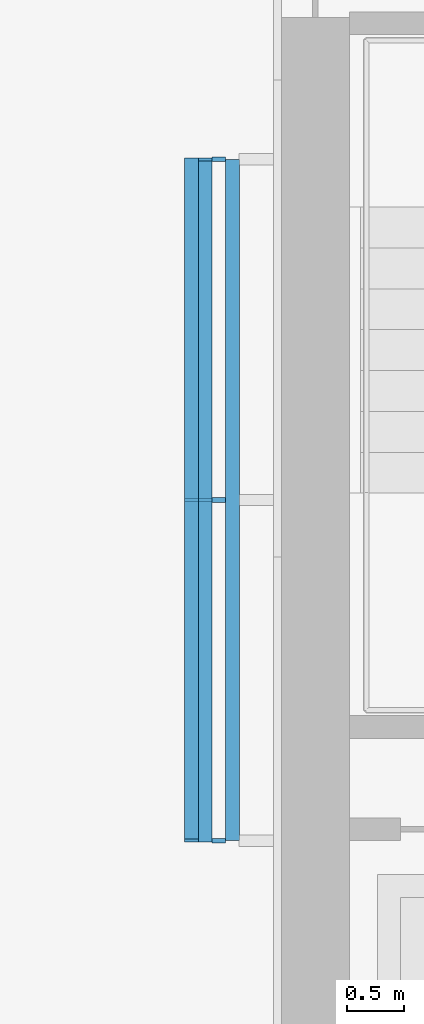
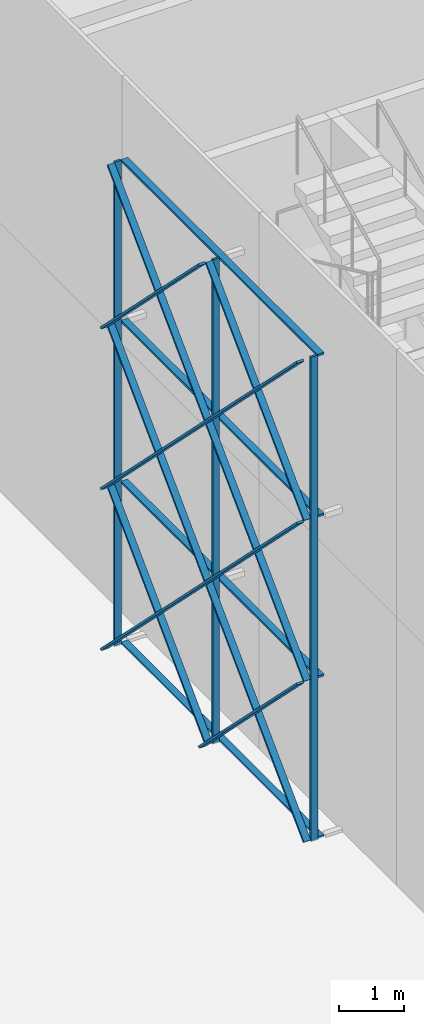
# One storey, part 18 of 64: 15 members.
"""IFC4 building model written with IfcOpenShell, lengths in metres."""

from ifc_helpers import new_model, si_unit, direction, frame, origin, origin_2d, place, context, subcontext, project, spatial, rectangle, extrude, material, material_profile, profile_set, type_object, element, save


model = new_model("IFC4")

# Units and contexts
model_context = context("Model", 3, precision=1e-05, world=origin(), true_north=direction((0.0, 1.0)))
body_context = subcontext(model_context, "Body", "Model", "MODEL_VIEW")
ifc_project = project(units=[si_unit("LENGTHUNIT", "METRE"), si_unit("AREAUNIT", "SQUARE_METRE"), si_unit("VOLUMEUNIT", "CUBIC_METRE"), si_unit("PLANEANGLEUNIT", "RADIAN"), si_unit("MASSUNIT", "GRAM", prefix="KILO")], contexts=[model_context])

# Site, building, storey
site_placement = place(None, origin())
site = spatial("IfcSite", under=ifc_project, at=site_placement, CompositionType="ELEMENT")
building_placement = place(site_placement, origin())
building = spatial("IfcBuilding", under=site, at=building_placement, Name="Tessera Arch", CompositionType="ELEMENT")
storey_placement = place(building_placement, origin())
storey = spatial("IfcBuildingStorey", under=building, at=storey_placement, Name="L00", CompositionType="ELEMENT", Elevation=0.0)

# Members
ifc_material = material(Name="Anodised aluminium gold", Category="aluminium")
ifc_material_profile = material_profile(ifc_material, rectangle(XDim=0.1201171875, YDim=0.0400390625, at=origin_2d()), Name="AL 40x120")
ifc_profile_set = profile_set([ifc_material_profile], Name="Anodised aluminium gold")
member_type = type_object("IfcMemberType", Name="Mashrabiya lattice blade", PredefinedType="USERDEFINED", material=ifc_profile_set)
for number, where, z_axis, x_axis, name in (
    (1, (35.570068359375, 38.0, 0.0), (0.0, 1.0, 0.0), (-1.0, 0.0, 0.0), "Lattice blade horizontal"),
    (2, (35.570068359375, 38.0, 3.0), (0.0, 1.0, 0.0), (-1.0, 0.0, 0.0), "Lattice blade horizontal"),
    (3, (35.570068359375, 38.0, 6.0), (0.0, 1.0, 0.0), (-1.0, 0.0, 0.0), "Lattice blade horizontal"),
    (4, (35.570068359375, 38.0, 9.0), (0.0, 1.0, 0.0), (-1.0, 0.0, 0.0), "Lattice blade horizontal"),
):
    element("IfcMember", number, at=place(storey_placement, frame(where, z_axis=z_axis, x_axis=x_axis)), inside=storey, type_object=member_type, Name=name, ObjectType="FIN", PredefinedType="USERDEFINED", context=body_context, shape_type="SweptSolid", body=[
        extrude(rectangle(XDim=0.1201171875, YDim=0.0400390625, at=origin_2d()), origin(), (0.0, 0.0, 1.0), 6.0),
    ])
for number, where, z_axis, x_axis, name in (
    (5, (35.449951171875, 38.0, -0.02001953125), (0.0, 0.0, 1.0), (-1.0, 0.0, 0.0), "Lattice blade vertical"),
    (6, (35.449951171875, 41.0, -0.02001953125), (0.0, 0.0, 1.0), (-1.0, 0.0, 0.0), "Lattice blade vertical"),
    (7, (35.449951171875, 44.0, -0.02001953125), (0.0, 0.0, 1.0), (-1.0, 0.0, 0.0), "Lattice blade vertical"),
):
    element("IfcMember", number, at=place(storey_placement, frame(where, z_axis=z_axis, x_axis=x_axis)), inside=storey, type_object=member_type, Name=name, ObjectType="FIN", PredefinedType="USERDEFINED", context=body_context, shape_type="SweptSolid", body=[
        extrude(rectangle(XDim=0.1201171875, YDim=0.0400390625, at=origin_2d()), origin(), (0.0, 0.0, 1.0), 9.0400390625),
    ])
member_1_placement = place(storey_placement, frame((35.330078125, 38.0, 6.0), z_axis=(0.0, 0.707106781187, 0.707106781187), x_axis=(-1.0, 0.0, 0.0)))
element("IfcMember", 8, at=member_1_placement, inside=storey, type_object=member_type, Name="Lattice blade diagonal", ObjectType="FIN", PredefinedType="USERDEFINED", context=body_context, shape_type="SweptSolid", body=[
    extrude(rectangle(XDim=0.1201171875, YDim=0.0400390625, at=origin_2d()), origin(), (0.0, 0.0, 1.0), 4.24267578125),
])
for number, where, z_axis, x_axis, name in (
    (9, (35.330078125, 38.0, 3.0), (0.0, 0.707106781187, 0.707106781187), (-1.0, 0.0, 0.0), "Lattice blade diagonal"),
    (10, (35.330078125, 38.0, 0.0), (0.0, 0.707106781187, 0.707106781187), (-1.0, 0.0, 0.0), "Lattice blade diagonal"),
):
    element("IfcMember", number, at=place(storey_placement, frame(where, z_axis=z_axis, x_axis=x_axis)), inside=storey, type_object=member_type, Name=name, ObjectType="FIN", PredefinedType="USERDEFINED", context=body_context, shape_type="SweptSolid", body=[
        extrude(rectangle(XDim=0.1201171875, YDim=0.0400390625, at=origin_2d()), origin(), (0.0, 0.0, 1.0), 8.4853515625),
    ])
for number, where, z_axis, x_axis, name in (
    (11, (35.330078125, 41.0, 0.0), (0.0, 0.707106781187, 0.707106781187), (-1.0, 0.0, 0.0), "Lattice blade diagonal"),
    (12, (35.2099609375, 38.0, 3.0), (0.0, 0.707106781187, -0.707106781187), (-1.0, 0.0, 0.0), "Lattice blade diagonal"),
):
    element("IfcMember", number, at=place(storey_placement, frame(where, z_axis=z_axis, x_axis=x_axis)), inside=storey, type_object=member_type, Name=name, ObjectType="FIN", PredefinedType="USERDEFINED", context=body_context, shape_type="SweptSolid", body=[
        extrude(rectangle(XDim=0.1201171875, YDim=0.0400390625, at=origin_2d()), origin(), (0.0, 0.0, 1.0), 4.24267578125),
    ])
for number, where, z_axis, x_axis, name in (
    (13, (35.2099609375, 38.0, 6.0), (0.0, 0.707106781187, -0.707106781187), (-1.0, 0.0, 0.0), "Lattice blade diagonal"),
    (14, (35.2099609375, 38.0, 9.0), (0.0, 0.707106781187, -0.707106781187), (-1.0, 0.0, 0.0), "Lattice blade diagonal"),
):
    element("IfcMember", number, at=place(storey_placement, frame(where, z_axis=z_axis, x_axis=x_axis)), inside=storey, type_object=member_type, Name=name, ObjectType="FIN", PredefinedType="USERDEFINED", context=body_context, shape_type="SweptSolid", body=[
        extrude(rectangle(XDim=0.1201171875, YDim=0.0400390625, at=origin_2d()), origin(), (0.0, 0.0, 1.0), 8.4853515625),
    ])
member_2_placement = place(storey_placement, frame((35.2099609375, 41.0, 9.0), z_axis=(0.0, 0.707106781187, -0.707106781187), x_axis=(-1.0, 0.0, 0.0)))
element("IfcMember", 15, at=member_2_placement, inside=storey, type_object=member_type, Name="Lattice blade diagonal", ObjectType="FIN", PredefinedType="USERDEFINED", context=body_context, shape_type="SweptSolid", body=[
    extrude(rectangle(XDim=0.1201171875, YDim=0.0400390625, at=origin_2d()), origin(), (0.0, 0.0, 1.0), 4.24267578125),
])

save(model, "model.ifc")
